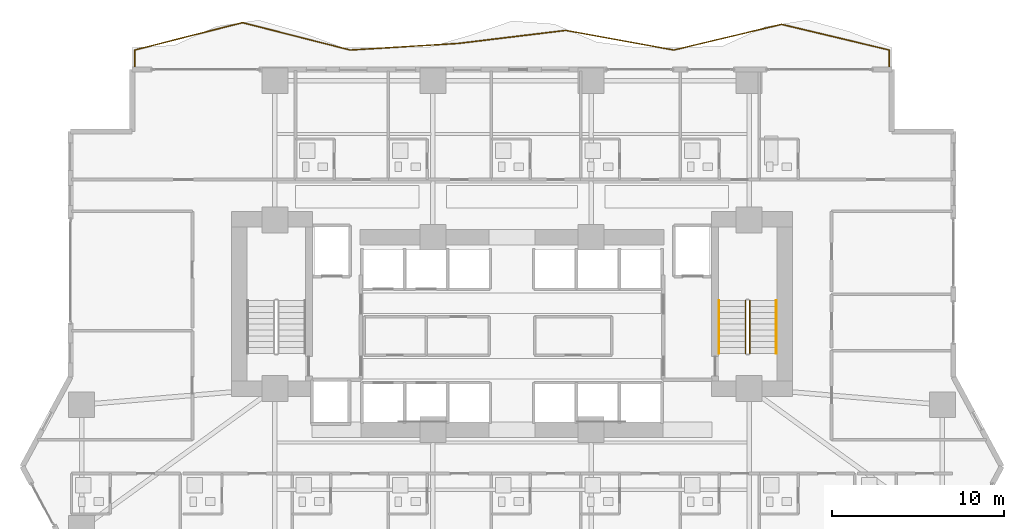
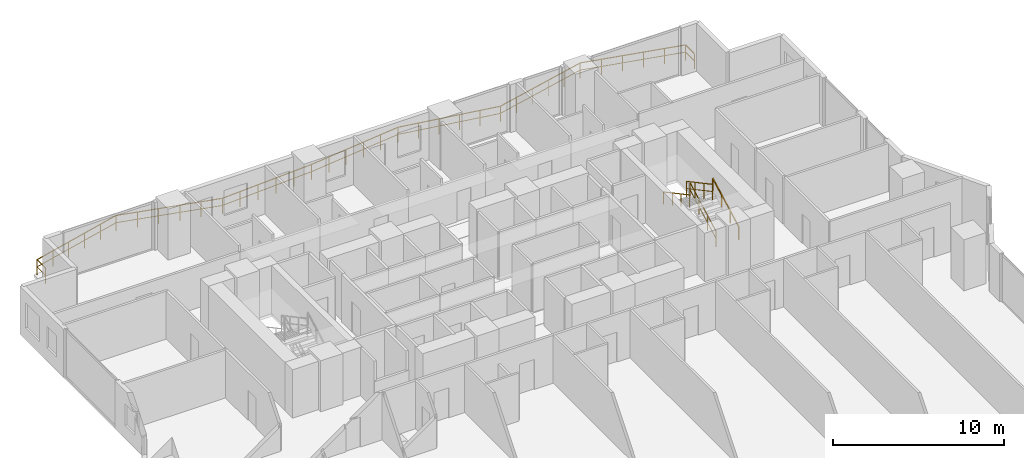
# One storey, part 26 of 28: 5 railings.
"""IFC4 building model written with IfcOpenShell, lengths in metres."""

import ifcopenshell
import ifcopenshell.guid

model = None  # the IFC model being written
_history = None  # IfcOwnerHistory: only IFC2X3 demands one
_inside = {}  # id of a spatial element -> (the spatial element, [elements in it])
_under = {}  # id of a project, library or spatial element -> (it, [spatial elements below it])
_declared = {}  # id of a project -> (the project, [libraries it declares])
_typed = {}  # id of a type object -> (the type object, [elements of that type])
_made_of = {}  # id of a material, layer set ... -> (it, [elements and type objects made of it])


def new_model(schema):
    """Start an empty IFC model of exactly this schema.

    Asked for "IFC4X3", IfcOpenShell would pick the latest addendum, in which some entities
    have other attributes; the version numbers below select the first issue.
    IFC2X3 requires an IfcOwnerHistory on every rooted entity: one is made here for all.
    """
    global model, _history
    if schema == "IFC4X3":
        model = ifcopenshell.file(schema_version=(4, 3, 0, 0))
    else:
        model = ifcopenshell.file(schema=schema)
    _inside.clear()
    _under.clear()
    _declared.clear()
    _typed.clear()
    _made_of.clear()
    _history = None
    if model.schema == "IFC2X3":
        org = make("IfcOrganization", Name="unknown")
        user = make(
            "IfcPersonAndOrganization",
            ThePerson=make("IfcPerson", FamilyName="unknown"),
            TheOrganization=org,
        )
        app = make(
            "IfcApplication",
            ApplicationDeveloper=org,
            Version="unknown",
            ApplicationFullName="unknown",
            ApplicationIdentifier="unknown",
        )
        _history = make(
            "IfcOwnerHistory",
            OwningUser=user,
            OwningApplication=app,
            ChangeAction="ADDED",
            CreationDate=0,
        )
    return model


def make(cls, **values):
    """One entity of the class cls with the attributes given. An attribute that is None is left unset."""
    return model.create_entity(
        cls, **{name: value for name, value in values.items() if value is not None}
    )


def rooted(cls, **values):
    """An entity with a GlobalId (a new one), such as an element, a storey or a relation."""
    return make(cls, GlobalId=ifcopenshell.guid.new(), OwnerHistory=_history, **values)


def si_unit(unit_type, name, prefix=None):
    """IfcSIUnit, for example si_unit("LENGTHUNIT", "METRE", prefix="MILLI")."""
    return make("IfcSIUnit", UnitType=unit_type, Prefix=prefix, Name=name)


def assignment(units):
    """IfcUnitAssignment: the units of a project."""
    return None if units is None else make("IfcUnitAssignment", Units=units)


def point(xyz):
    """IfcCartesianPoint."""
    return None if xyz is None else make("IfcCartesianPoint", Coordinates=xyz)


def direction(xyz):
    """IfcDirection."""
    return None if xyz is None else make("IfcDirection", DirectionRatios=xyz)


def frame(location, z_axis=None, x_axis=None):
    """IfcAxis2Placement3D, a coordinate frame: its origin and axes. An axis left out is left unset."""
    return make(
        "IfcAxis2Placement3D",
        Location=point(location),
        Axis=direction(z_axis),
        RefDirection=direction(x_axis),
    )


def frame_2d(location, x_axis=None):
    """IfcAxis2Placement2D, a coordinate frame in the plane: its origin and x axis."""
    return make(
        "IfcAxis2Placement2D", Location=point(location), RefDirection=direction(x_axis)
    )


def origin():
    """The frame at (0, 0, 0) with its axes left unset."""
    return frame((0.0, 0.0, 0.0))


def origin_2d():
    """The frame at (0, 0) in the plane with its x axis left unset."""
    return frame_2d((0.0, 0.0))


def place(relative_to, where):
    """IfcLocalPlacement: puts the frame where relative to a parent placement (None: the world)."""
    return make(
        "IfcLocalPlacement", PlacementRelTo=relative_to, RelativePlacement=where
    )


def context(
    kind, dimensions, precision=None, world=None, true_north=None, identifier=None
):
    """IfcGeometricRepresentationContext, for example the 3D "Model" context."""
    return make(
        "IfcGeometricRepresentationContext",
        ContextIdentifier=identifier,
        ContextType=kind,
        CoordinateSpaceDimension=dimensions,
        Precision=precision,
        WorldCoordinateSystem=world,
        TrueNorth=true_north,
    )


def subcontext(parent, identifier, kind, view, scale=None):
    """IfcGeometricRepresentationSubContext, for example "Body" below "Model"."""
    return make(
        "IfcGeometricRepresentationSubContext",
        ContextIdentifier=identifier,
        ContextType=kind,
        ParentContext=parent,
        TargetScale=scale,
        TargetView=view,
    )


def project(units=None, contexts=None):
    """IfcProject with its units and contexts."""
    return rooted(
        "IfcProject",
        Name="project",
        RepresentationContexts=contexts,
        UnitsInContext=assignment(units),
    )


def spatial(cls, under=None, at=None, **own):
    """A site, building, storey or space (cls), placed at a placement, below another one or the project."""
    s = rooted(cls, ObjectPlacement=at, **own)
    if under is not None:
        _under.setdefault(under.id(), (under, []))[1].append(s)
    return s


def profile(cls, at=None, kind="AREA", **sizes):
    """A parametric profile (cls). Its sizes go by their IFC names, for example OverallWidth=200.0."""
    return make(cls, ProfileType=kind, Position=at, **sizes)


def rectangle(**sizes):
    """IfcRectangleProfileDef."""
    return profile("IfcRectangleProfileDef", **sizes)


def extrude(swept, where, along, depth):
    """IfcExtrudedAreaSolid: the profile swept, set in the frame where, extruded along a direction by depth."""
    return make(
        "IfcExtrudedAreaSolid",
        SweptArea=swept,
        Position=where,
        ExtrudedDirection=direction(along),
        Depth=depth,
    )


def shape(context_of_items, identifier, shape_type, items):
    """IfcShapeRepresentation: the items that make up one representation, for example the "Body"."""
    return make(
        "IfcShapeRepresentation",
        ContextOfItems=context_of_items,
        RepresentationIdentifier=identifier,
        RepresentationType=shape_type,
        Items=items,
    )


def material(Name=None, Category=None):
    """IfcMaterial."""
    return make("IfcMaterial", Name=Name, Category=Category)


def made_of(thing, what):
    """Note that an element or type object is made of a material, layer set ...; save() writes the relation."""
    if what is not None:
        _made_of.setdefault(what.id(), (what, []))[1].append(thing)
    return thing


def type_object(cls, material=None, **own):
    """A type object (cls), such as IfcWallType, which elements share."""
    return made_of(rooted(cls, **own), material)


def element(
    cls,
    number,
    at=None,
    inside=None,
    cuts=None,
    type_object=None,
    material=None,
    context=None,
    identifier="Body",
    shape_type=None,
    held_by="IfcProductDefinitionShape",
    body=None,
    shapes=None,
    **own,
):
    """One element of the class cls, such as IfcWall. Its Tag is "e" and its number.

    at: its placement. inside: the storey or other place that contains it. cuts: it is an
    opening in that element (IfcRelVoidsElement). A single representation is given by context,
    identifier, shape_type and body (its items); several are given by shapes. held_by: the class
    of the entity that holds the representations. save() writes the other relations.
    """
    e = rooted(cls, Tag="e%d" % number, ObjectPlacement=at, **own)
    if body is not None:
        shapes = [shape(context, identifier, shape_type, body)]
    if shapes is not None:
        e.Representation = make(held_by, Representations=shapes)
    if inside is not None:
        _inside.setdefault(inside.id(), (inside, []))[1].append(e)
    if cuts is not None:
        rooted(
            "IfcRelVoidsElement", RelatingBuildingElement=cuts, RelatedOpeningElement=e
        )
    if type_object is not None:
        _typed.setdefault(type_object.id(), (type_object, []))[1].append(e)
    return made_of(e, material)


def aggregate(whole, parts):
    """IfcRelAggregates: a whole, such as a stair, and the parts it consists of."""
    return rooted("IfcRelAggregates", RelatingObject=whole, RelatedObjects=parts)


def save(model, path):
    """Write the relations noted so far, then the file.

    IfcRelAggregates (storeys below a building ...), IfcRelContainedInSpatialStructure (elements
    in a storey), IfcRelDefinesByType, IfcRelAssociatesMaterial and IfcRelDeclares: one each for
    every whole, place, type object, material and project.
    """
    for whole, parts in _under.values():
        aggregate(whole, parts)
    for where, things in _inside.values():
        rooted(
            "IfcRelContainedInSpatialStructure",
            RelatedElements=things,
            RelatingStructure=where,
        )
    for kind, things in _typed.values():
        rooted("IfcRelDefinesByType", RelatedObjects=things, RelatingType=kind)
    for what, things in _made_of.values():
        rooted("IfcRelAssociatesMaterial", RelatedObjects=things, RelatingMaterial=what)
    for by, libraries in _declared.values():
        rooted("IfcRelDeclares", RelatingContext=by, RelatedDefinitions=libraries)
    model.write(path)


model = new_model("IFC4")

# Units and contexts
model_context = context("Model", 3, precision=1e-05, world=origin(), true_north=direction((0.0, 1.0)))
body_context = subcontext(model_context, "Body", "Model", "MODEL_VIEW")
ifc_project = project(units=[si_unit("LENGTHUNIT", "METRE"), si_unit("AREAUNIT", "SQUARE_METRE"), si_unit("VOLUMEUNIT", "CUBIC_METRE"), si_unit("PLANEANGLEUNIT", "RADIAN"), si_unit("MASSUNIT", "GRAM", prefix="KILO")], contexts=[model_context])

# Site, building, storey
site_placement = place(None, origin())
site = spatial("IfcSite", under=ifc_project, at=site_placement, CompositionType="ELEMENT")
building_placement = place(site_placement, origin())
building = spatial("IfcBuilding", under=site, at=building_placement, Name="Zuhayl Quay Hotel", CompositionType="ELEMENT")
storey_placement = place(building_placement, frame((0.0, 0.0, 34.89990234375)))
storey = spatial("IfcBuildingStorey", under=building, at=storey_placement, Name="L07", CompositionType="ELEMENT", Elevation=34.89990234375)

# Railings
ifc_material_1 = material(Name="Anodised Aluminium and Laminated Glass", Category="aluminium")
railing_type_1 = type_object("IfcRailingType", Name="RL_EXT_BAL_1100", PredefinedType="BALUSTRADE", material=ifc_material_1)
railing_1_placement = place(storey_placement, frame((-21.9599609375, 23.219970703125, 0.0)))
element("IfcRailing", 1, at=railing_1_placement, inside=storey, type_object=railing_type_1, Name="L07 Balcony and Terrace Guard GR_L07_BAL_N", PredefinedType="BALUSTRADE", context=body_context, shape_type="SweptSolid", body=[
    extrude(rectangle(XDim=0.048095703125, YDim=0.048095703125, at=origin_2d()), frame((0.0, 0.0, 1.09619140625), z_axis=(0.0, 1.0, 0.0), x_axis=(-1.0, 0.0, 0.0)), (0.0, 0.0, 1.0), 1.02001953125),
    extrude(rectangle(XDim=0.0361328125, YDim=0.0361328125, at=origin_2d()), frame((0.0, 0.0, 0.58251953125), z_axis=(0.0, 1.0, 0.0), x_axis=(-1.0, 0.0, 0.0)), (0.0, 0.0, 1.0), 1.02001953125),
    extrude(rectangle(XDim=0.048095703125, YDim=0.048095703125, at=origin_2d()), frame((0.0, 1.02001953125, 1.09619140625), z_axis=(0.96921034235, 0.246234263014, 0.0), x_axis=(-0.246234263014, 0.96921034235, 0.0)), (0.0, 0.0, 1.0), 6.473388671875),
    extrude(rectangle(XDim=0.0361328125, YDim=0.0361328125, at=origin_2d()), frame((0.0, 1.02001953125, 0.58251953125), z_axis=(0.96921034235, 0.246234263014, 0.0), x_axis=(-0.246234263014, 0.96921034235, 0.0)), (0.0, 0.0, 1.0), 6.473388671875),
    extrude(rectangle(XDim=0.048095703125, YDim=0.048095703125, at=origin_2d()), frame((6.274169921875, 2.614013671875, 1.09619140625), z_axis=(0.96921262887, -0.246225262797, 0.0), x_axis=(0.246225262797, 0.96921262887, 0.0)), (0.0, 0.0, 1.0), 6.4736328125),
    extrude(rectangle(XDim=0.0361328125, YDim=0.0361328125, at=origin_2d()), frame((6.274169921875, 2.614013671875, 0.58251953125), z_axis=(0.96921262887, -0.246225262797, 0.0), x_axis=(0.246225262797, 0.96921262887, 0.0)), (0.0, 0.0, 1.0), 6.4736328125),
    extrude(rectangle(XDim=0.048095703125, YDim=0.048095703125, at=origin_2d()), frame((12.548583984375, 1.02001953125, 1.09619140625), z_axis=(0.998127260561, 0.061171657862, 0.0), x_axis=(-0.061171657862, 0.998127260561, 0.0)), (0.0, 0.0, 1.0), 6.285888671875),
    extrude(rectangle(XDim=0.0361328125, YDim=0.0361328125, at=origin_2d()), frame((12.548583984375, 1.02001953125, 0.58251953125), z_axis=(0.998127260561, 0.061171657862, 0.0), x_axis=(-0.061171657862, 0.998127260561, 0.0)), (0.0, 0.0, 1.0), 6.285888671875),
    extrude(rectangle(XDim=0.048095703125, YDim=0.048095703125, at=origin_2d()), frame((18.82275390625, 1.404541015625, 1.09619140625), z_axis=(0.992785151007, 0.119906813569, 0.0), x_axis=(-0.119906813569, 0.992785151007, 0.0)), (0.0, 0.0, 1.0), 6.320068359375),
    extrude(rectangle(XDim=0.0361328125, YDim=0.0361328125, at=origin_2d()), frame((18.82275390625, 1.404541015625, 0.58251953125), z_axis=(0.992785151007, 0.119906813569, 0.0), x_axis=(-0.119906813569, 0.992785151007, 0.0)), (0.0, 0.0, 1.0), 6.320068359375),
    extrude(rectangle(XDim=0.048095703125, YDim=0.048095703125, at=origin_2d()), frame((25.09716796875, 2.162353515625, 1.09619140625), z_axis=(0.983826391909, -0.179124623049, 0.0), x_axis=(0.179124623049, 0.983826391909, 0.0)), (0.0, 0.0, 1.0), 6.377197265625),
    extrude(rectangle(XDim=0.0361328125, YDim=0.0361328125, at=origin_2d()), frame((25.09716796875, 2.162353515625, 0.58251953125), z_axis=(0.983826391909, -0.179124623049, 0.0), x_axis=(0.179124623049, 0.983826391909, 0.0)), (0.0, 0.0, 1.0), 6.377197265625),
    extrude(rectangle(XDim=0.048095703125, YDim=0.048095703125, at=origin_2d()), frame((31.371337890625, 1.02001953125, 1.09619140625), z_axis=(0.972763961636, 0.231797918329, 0.0), x_axis=(-0.231797918329, 0.972763961636, 0.0)), (0.0, 0.0, 1.0), 6.4501953125),
    extrude(rectangle(XDim=0.0361328125, YDim=0.0361328125, at=origin_2d()), frame((31.371337890625, 1.02001953125, 0.58251953125), z_axis=(0.972763961636, 0.231797918329, 0.0), x_axis=(-0.231797918329, 0.972763961636, 0.0)), (0.0, 0.0, 1.0), 6.4501953125),
    extrude(rectangle(XDim=0.048095703125, YDim=0.048095703125, at=origin_2d()), frame((37.645751953125, 2.51513671875, 1.09619140625), z_axis=(0.972761927793, -0.231806453395, 0.0), x_axis=(0.231806453395, 0.972761927793, 0.0)), (0.0, 0.0, 1.0), 6.449951171875),
    extrude(rectangle(XDim=0.0361328125, YDim=0.0361328125, at=origin_2d()), frame((37.645751953125, 2.51513671875, 0.58251953125), z_axis=(0.972761927793, -0.231806453395, 0.0), x_axis=(0.231806453395, 0.972761927793, 0.0)), (0.0, 0.0, 1.0), 6.449951171875),
    extrude(rectangle(XDim=0.048095703125, YDim=0.048095703125, at=origin_2d()), frame((43.919921875, 1.02001953125, 1.09619140625), z_axis=(0.0, -1.0, 0.0), x_axis=(1.0, 0.0, 0.0)), (0.0, 0.0, 1.0), 1.02001953125),
    extrude(rectangle(XDim=0.0361328125, YDim=0.0361328125, at=origin_2d()), frame((43.919921875, 1.02001953125, 0.58251953125), z_axis=(0.0, -1.0, 0.0), x_axis=(1.0, 0.0, 0.0)), (0.0, 0.0, 1.0), 1.02001953125),
    extrude(rectangle(XDim=0.0419921875, YDim=0.0419921875, at=origin_2d()), origin(), (0.0, 0.0, 1.0), 1.072021484375),
    extrude(rectangle(XDim=0.0419921875, YDim=0.0419921875, at=origin_2d()), frame((0.0, 1.02001953125, 0.0)), (0.0, 0.0, 1.0), 1.072021484375),
    extrude(rectangle(XDim=0.0419921875, YDim=0.0419921875, at=origin_2d()), frame((1.2548828125, 1.3388671875, 0.0)), (0.0, 0.0, 1.0), 1.072021484375),
    extrude(rectangle(XDim=0.0419921875, YDim=0.0419921875, at=origin_2d()), frame((2.509765625, 1.65771484375, 0.0)), (0.0, 0.0, 1.0), 1.072021484375),
    extrude(rectangle(XDim=0.0419921875, YDim=0.0419921875, at=origin_2d()), frame((3.764404296875, 1.976318359375, 0.0)), (0.0, 0.0, 1.0), 1.072021484375),
    extrude(rectangle(XDim=0.0419921875, YDim=0.0419921875, at=origin_2d()), frame((5.019287109375, 2.295166015625, 0.0)), (0.0, 0.0, 1.0), 1.072021484375),
    extrude(rectangle(XDim=0.0419921875, YDim=0.0419921875, at=origin_2d()), frame((6.274169921875, 2.614013671875, 0.0)), (0.0, 0.0, 1.0), 1.072021484375),
    extrude(rectangle(XDim=0.0419921875, YDim=0.0419921875, at=origin_2d()), frame((7.529052734375, 2.295166015625, 0.0)), (0.0, 0.0, 1.0), 1.072021484375),
    extrude(rectangle(XDim=0.0419921875, YDim=0.0419921875, at=origin_2d()), frame((8.783935546875, 1.976318359375, 0.0)), (0.0, 0.0, 1.0), 1.072021484375),
    extrude(rectangle(XDim=0.0419921875, YDim=0.0419921875, at=origin_2d()), frame((10.038818359375, 1.65771484375, 0.0)), (0.0, 0.0, 1.0), 1.072021484375),
    extrude(rectangle(XDim=0.0419921875, YDim=0.0419921875, at=origin_2d()), frame((11.293701171875, 1.3388671875, 0.0)), (0.0, 0.0, 1.0), 1.072021484375),
    extrude(rectangle(XDim=0.0419921875, YDim=0.0419921875, at=origin_2d()), frame((12.548583984375, 1.02001953125, 0.0)), (0.0, 0.0, 1.0), 1.072021484375),
    extrude(rectangle(XDim=0.0419921875, YDim=0.0419921875, at=origin_2d()), frame((13.803466796875, 1.096923828125, 0.0)), (0.0, 0.0, 1.0), 1.072021484375),
    extrude(rectangle(XDim=0.0419921875, YDim=0.0419921875, at=origin_2d()), frame((15.058349609375, 1.173828125, 0.0)), (0.0, 0.0, 1.0), 1.072021484375),
    extrude(rectangle(XDim=0.0419921875, YDim=0.0419921875, at=origin_2d()), frame((16.31298828125, 1.250732421875, 0.0)), (0.0, 0.0, 1.0), 1.072021484375),
    extrude(rectangle(XDim=0.0419921875, YDim=0.0419921875, at=origin_2d()), frame((17.56787109375, 1.32763671875, 0.0)), (0.0, 0.0, 1.0), 1.072021484375),
    extrude(rectangle(XDim=0.0419921875, YDim=0.0419921875, at=origin_2d()), frame((18.82275390625, 1.404541015625, 0.0)), (0.0, 0.0, 1.0), 1.072021484375),
    extrude(rectangle(XDim=0.0419921875, YDim=0.0419921875, at=origin_2d()), frame((20.07763671875, 1.55615234375, 0.0)), (0.0, 0.0, 1.0), 1.072021484375),
    extrude(rectangle(XDim=0.0419921875, YDim=0.0419921875, at=origin_2d()), frame((21.33251953125, 1.707763671875, 0.0)), (0.0, 0.0, 1.0), 1.072021484375),
    extrude(rectangle(XDim=0.0419921875, YDim=0.0419921875, at=origin_2d()), frame((22.58740234375, 1.859130859375, 0.0)), (0.0, 0.0, 1.0), 1.072021484375),
    extrude(rectangle(XDim=0.0419921875, YDim=0.0419921875, at=origin_2d()), frame((23.84228515625, 2.0107421875, 0.0)), (0.0, 0.0, 1.0), 1.072021484375),
    extrude(rectangle(XDim=0.0419921875, YDim=0.0419921875, at=origin_2d()), frame((25.09716796875, 2.162353515625, 0.0)), (0.0, 0.0, 1.0), 1.072021484375),
    extrude(rectangle(XDim=0.0419921875, YDim=0.0419921875, at=origin_2d()), frame((26.35205078125, 1.933837890625, 0.0)), (0.0, 0.0, 1.0), 1.072021484375),
    extrude(rectangle(XDim=0.0419921875, YDim=0.0419921875, at=origin_2d()), frame((27.60693359375, 1.705322265625, 0.0)), (0.0, 0.0, 1.0), 1.072021484375),
    extrude(rectangle(XDim=0.0419921875, YDim=0.0419921875, at=origin_2d()), frame((28.861572265625, 1.47705078125, 0.0)), (0.0, 0.0, 1.0), 1.072021484375),
    extrude(rectangle(XDim=0.0419921875, YDim=0.0419921875, at=origin_2d()), frame((30.116455078125, 1.24853515625, 0.0)), (0.0, 0.0, 1.0), 1.072021484375),
    extrude(rectangle(XDim=0.0419921875, YDim=0.0419921875, at=origin_2d()), frame((31.371337890625, 1.02001953125, 0.0)), (0.0, 0.0, 1.0), 1.072021484375),
    extrude(rectangle(XDim=0.0419921875, YDim=0.0419921875, at=origin_2d()), frame((32.626220703125, 1.319091796875, 0.0)), (0.0, 0.0, 1.0), 1.072021484375),
    extrude(rectangle(XDim=0.0419921875, YDim=0.0419921875, at=origin_2d()), frame((33.881103515625, 1.6181640625, 0.0)), (0.0, 0.0, 1.0), 1.072021484375),
    extrude(rectangle(XDim=0.0419921875, YDim=0.0419921875, at=origin_2d()), frame((35.135986328125, 1.9169921875, 0.0)), (0.0, 0.0, 1.0), 1.072021484375),
    extrude(rectangle(XDim=0.0419921875, YDim=0.0419921875, at=origin_2d()), frame((36.390869140625, 2.216064453125, 0.0)), (0.0, 0.0, 1.0), 1.072021484375),
    extrude(rectangle(XDim=0.0419921875, YDim=0.0419921875, at=origin_2d()), frame((37.645751953125, 2.51513671875, 0.0)), (0.0, 0.0, 1.0), 1.072021484375),
    extrude(rectangle(XDim=0.0419921875, YDim=0.0419921875, at=origin_2d()), frame((38.900634765625, 2.216064453125, 0.0)), (0.0, 0.0, 1.0), 1.072021484375),
    extrude(rectangle(XDim=0.0419921875, YDim=0.0419921875, at=origin_2d()), frame((40.155517578125, 1.9169921875, 0.0)), (0.0, 0.0, 1.0), 1.072021484375),
    extrude(rectangle(XDim=0.0419921875, YDim=0.0419921875, at=origin_2d()), frame((41.41015625, 1.6181640625, 0.0)), (0.0, 0.0, 1.0), 1.072021484375),
    extrude(rectangle(XDim=0.0419921875, YDim=0.0419921875, at=origin_2d()), frame((42.6650390625, 1.319091796875, 0.0)), (0.0, 0.0, 1.0), 1.072021484375),
    extrude(rectangle(XDim=0.0419921875, YDim=0.0419921875, at=origin_2d()), frame((43.919921875, 1.02001953125, 0.0)), (0.0, 0.0, 1.0), 1.072021484375),
    extrude(rectangle(XDim=0.0419921875, YDim=0.0419921875, at=origin_2d()), frame((43.919921875, 0.0, 0.0)), (0.0, 0.0, 1.0), 1.072021484375),
])
ifc_material_2 = material(Name="Steel ASTM A992 Grade 50", Category="steel")
railing_type_2 = type_object("IfcRailingType", Name="RL_GUARD_1100", PredefinedType="GUARDRAIL", material=ifc_material_2)
railing_2_placement = place(storey_placement, frame((13.840087890625, 6.590087890625, 0.1826171875)))
element("IfcRailing", 2, at=railing_2_placement, inside=storey, type_object=railing_type_2, Name="L07 ST2 stair guard 1", PredefinedType="GUARDRAIL", context=body_context, shape_type="SweptSolid", body=[
    extrude(rectangle(XDim=0.048095703125, YDim=0.048095703125, at=origin_2d()), frame((0.0, 0.0, 1.09619140625), z_axis=(0.0, 0.88107310026, 0.472980117973), x_axis=(-1.0, 0.0, 0.0)), (0.0, 0.0, 1.0), 3.472900390625),
    extrude(rectangle(XDim=0.0361328125, YDim=0.0361328125, at=origin_2d()), frame((0.0, 0.0, 0.58251953125), z_axis=(0.0, 0.88107310026, 0.472980117973), x_axis=(-1.0, 0.0, 0.0)), (0.0, 0.0, 1.0), 3.472900390625),
    extrude(rectangle(XDim=0.0419921875, YDim=0.0419921875, at=origin_2d()), origin(), (0.0, 0.0, 1.0), 1.072021484375),
    extrude(rectangle(XDim=0.0419921875, YDim=0.0419921875, at=origin_2d()), frame((0.0, 1.02001953125, 0.547607421875)), (0.0, 0.0, 1.0), 1.072021484375),
    extrude(rectangle(XDim=0.0419921875, YDim=0.0419921875, at=origin_2d()), frame((0.0, 2.039794921875, 1.094970703125)), (0.0, 0.0, 1.0), 1.072021484375),
    extrude(rectangle(XDim=0.0419921875, YDim=0.0419921875, at=origin_2d()), frame((0.0, 3.059814453125, 1.642578125)), (0.0, 0.0, 1.0), 1.072021484375),
])
railing_3_placement = place(storey_placement, frame((13.590087890625, 9.64990234375, 2.007568359375)))
element("IfcRailing", 3, at=railing_3_placement, inside=storey, type_object=railing_type_2, Name="L07 ST2 stair guard 3", PredefinedType="GUARDRAIL", context=body_context, shape_type="SweptSolid", body=[
    extrude(rectangle(XDim=0.048095703125, YDim=0.048095703125, at=origin_2d()), frame((0.0, 0.0, 1.09619140625), z_axis=(0.0, -0.88107310026, 0.472980117973), x_axis=(1.0, 0.0, 0.0)), (0.0, 0.0, 1.0), 3.472900390625),
    extrude(rectangle(XDim=0.0361328125, YDim=0.0361328125, at=origin_2d()), frame((0.0, 0.0, 0.58251953125), z_axis=(0.0, -0.88107310026, 0.472980117973), x_axis=(1.0, 0.0, 0.0)), (0.0, 0.0, 1.0), 3.472900390625),
    extrude(rectangle(XDim=0.0419921875, YDim=0.0419921875, at=origin_2d()), origin(), (0.0, 0.0, 1.0), 1.072021484375),
    extrude(rectangle(XDim=0.0419921875, YDim=0.0419921875, at=origin_2d()), frame((0.0, -1.02001953125, 0.547607421875)), (0.0, 0.0, 1.0), 1.072021484375),
    extrude(rectangle(XDim=0.0419921875, YDim=0.0419921875, at=origin_2d()), frame((0.0, -2.039794921875, 1.094970703125)), (0.0, 0.0, 1.0), 1.072021484375),
    extrude(rectangle(XDim=0.0419921875, YDim=0.0419921875, at=origin_2d()), frame((0.0, -3.059814453125, 1.642578125)), (0.0, 0.0, 1.0), 1.072021484375),
])
railing_type_3 = type_object("IfcRailingType", Name="RL_HANDRAIL_920", PredefinedType="HANDRAIL", material=ifc_material_2)
railing_4_placement = place(storey_placement, frame((15.3798828125, 6.590087890625, 0.1826171875)))
element("IfcRailing", 4, at=railing_4_placement, inside=storey, type_object=railing_type_3, Name="L07 ST2 stair handrail 1", PredefinedType="HANDRAIL", context=body_context, shape_type="SweptSolid", body=[
    extrude(rectangle(XDim=0.048095703125, YDim=0.048095703125, at=origin_2d()), frame((0.0, 0.0, 0.8759765625), z_axis=(0.0, 0.88107310026, 0.472980117973), x_axis=(-1.0, 0.0, 0.0)), (0.0, 0.0, 1.0), 3.472900390625),
    extrude(rectangle(XDim=0.0419921875, YDim=0.0419921875, at=origin_2d()), origin(), (0.0, 0.0, 1.0), 0.851806640625),
    extrude(rectangle(XDim=0.0419921875, YDim=0.0419921875, at=origin_2d()), frame((0.0, 1.02001953125, 0.547607421875)), (0.0, 0.0, 1.0), 0.851806640625),
    extrude(rectangle(XDim=0.0419921875, YDim=0.0419921875, at=origin_2d()), frame((0.0, 2.039794921875, 1.094970703125)), (0.0, 0.0, 1.0), 0.851806640625),
    extrude(rectangle(XDim=0.0419921875, YDim=0.0419921875, at=origin_2d()), frame((0.0, 3.059814453125, 1.642578125)), (0.0, 0.0, 1.0), 0.851806640625),
])
railing_5_placement = place(storey_placement, frame((12.050048828125, 9.64990234375, 2.007568359375)))
element("IfcRailing", 5, at=railing_5_placement, inside=storey, type_object=railing_type_3, Name="L07 ST2 stair handrail 2", PredefinedType="HANDRAIL", context=body_context, shape_type="SweptSolid", body=[
    extrude(rectangle(XDim=0.048095703125, YDim=0.048095703125, at=origin_2d()), frame((0.0, 0.0, 0.8759765625), z_axis=(0.0, -0.88107310026, 0.472980117973), x_axis=(1.0, 0.0, 0.0)), (0.0, 0.0, 1.0), 3.472900390625),
    extrude(rectangle(XDim=0.0419921875, YDim=0.0419921875, at=origin_2d()), origin(), (0.0, 0.0, 1.0), 0.851806640625),
    extrude(rectangle(XDim=0.0419921875, YDim=0.0419921875, at=origin_2d()), frame((0.0, -1.02001953125, 0.547607421875)), (0.0, 0.0, 1.0), 0.851806640625),
    extrude(rectangle(XDim=0.0419921875, YDim=0.0419921875, at=origin_2d()), frame((0.0, -2.039794921875, 1.094970703125)), (0.0, 0.0, 1.0), 0.851806640625),
    extrude(rectangle(XDim=0.0419921875, YDim=0.0419921875, at=origin_2d()), frame((0.0, -3.059814453125, 1.642578125)), (0.0, 0.0, 1.0), 0.851806640625),
])

save(model, "model.ifc")
